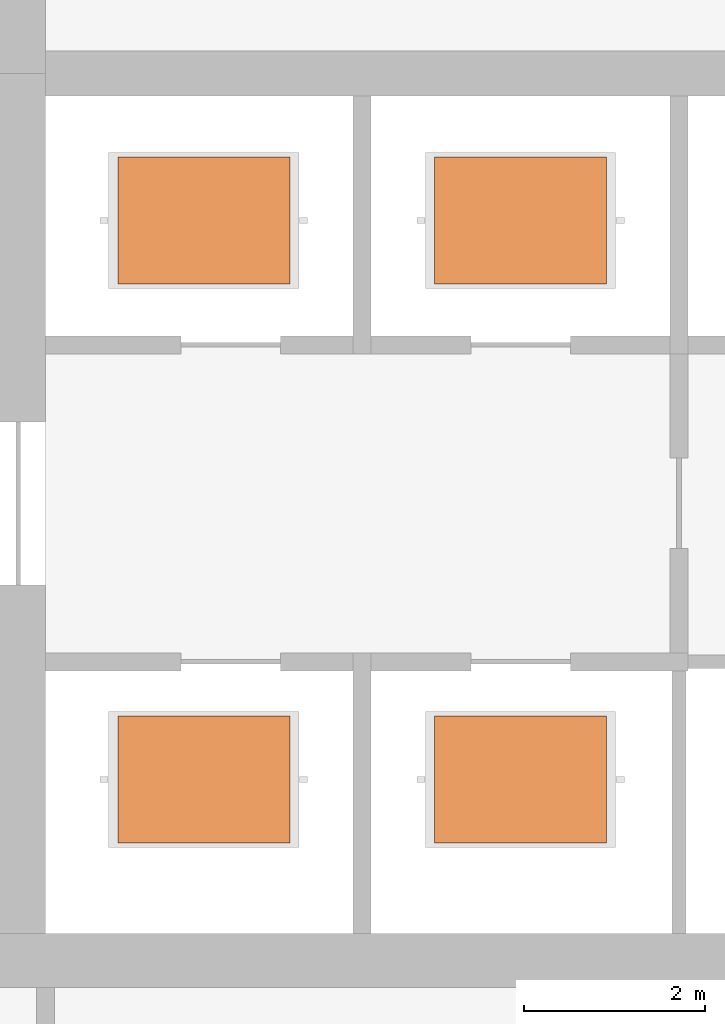
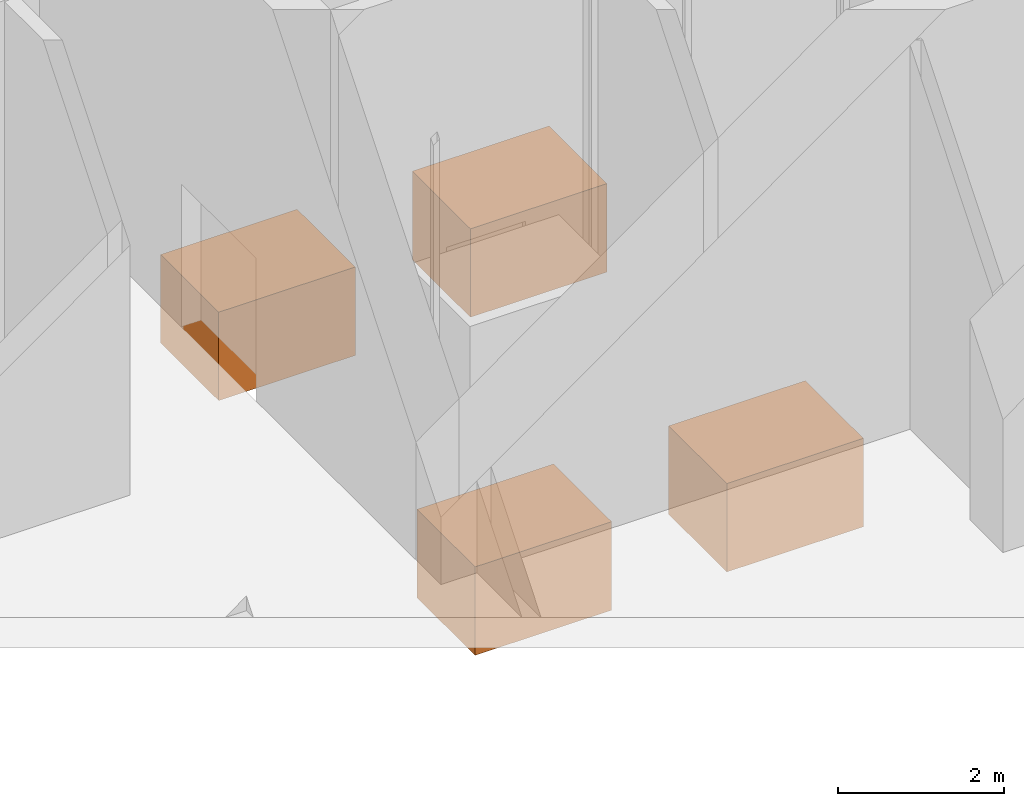
# One storey, part 55 of 55: 4 proxies.
"""IFC4 building model written with IfcOpenShell, lengths in metres."""

from ifc_helpers import new_model, si_unit, direction, frame, origin, origin_2d, place, context, subcontext, project, spatial, rectangle, extrude, material, type_object, element, save


model = new_model("IFC4")

# Units and contexts
model_context = context("Model", 3, precision=1e-05, world=origin(), true_north=direction((0.0, 1.0)))
body_context = subcontext(model_context, "Body", "Model", "MODEL_VIEW")
ifc_project = project(units=[si_unit("LENGTHUNIT", "METRE"), si_unit("AREAUNIT", "SQUARE_METRE"), si_unit("VOLUMEUNIT", "CUBIC_METRE"), si_unit("PLANEANGLEUNIT", "RADIAN"), si_unit("MASSUNIT", "GRAM", prefix="KILO")], contexts=[model_context])

# Site, building, storey
site_placement = place(None, origin())
site = spatial("IfcSite", under=ifc_project, at=site_placement, CompositionType="ELEMENT")
building_placement = place(site_placement, origin())
building = spatial("IfcBuilding", under=site, at=building_placement, Name="Cinnabar Reach Civic Tower", CompositionType="ELEMENT")
storey_placement = place(building_placement, origin())
storey = spatial("IfcBuildingStorey", under=building, at=storey_placement, Name="L00", CompositionType="ELEMENT", Elevation=0.0)

# Proxies
ifc_material = material(Name="Steel Q355B", Category="steel")
building_element_proxy_type = type_object("IfcBuildingElementProxyType", Name="Lift traction machine", PredefinedType="ELEMENT", material=ifc_material)
for number, where, z_axis, x_axis, name in (
    (1, (-40.25, 22.7, -2.5), (0.0, 0.0, 1.0), (1.0, 0.0, 0.0), "Lift machine"),
    (2, (-36.75, 22.7, -2.5), (0.0, 0.0, 1.0), (1.0, 0.0, 0.0), "Lift machine"),
    (3, (-40.25, 28.875, -2.5), (0.0, 0.0, 1.0), (1.0, 0.0, 0.0), "Lift machine"),
    (4, (-36.75, 28.875, -2.5), (0.0, 0.0, 1.0), (1.0, 0.0, 0.0), "Lift machine"),
):
    element("IfcBuildingElementProxy", number, at=place(storey_placement, frame(where, z_axis=z_axis, x_axis=x_axis)), inside=storey, type_object=building_element_proxy_type, Name=name, PredefinedType="ELEMENT", context=body_context, shape_type="SweptSolid", body=[
        extrude(rectangle(XDim=1.9, YDim=1.4, at=origin_2d()), origin(), (0.0, 0.0, 1.0), 1.3),
    ])

save(model, "model.ifc")
